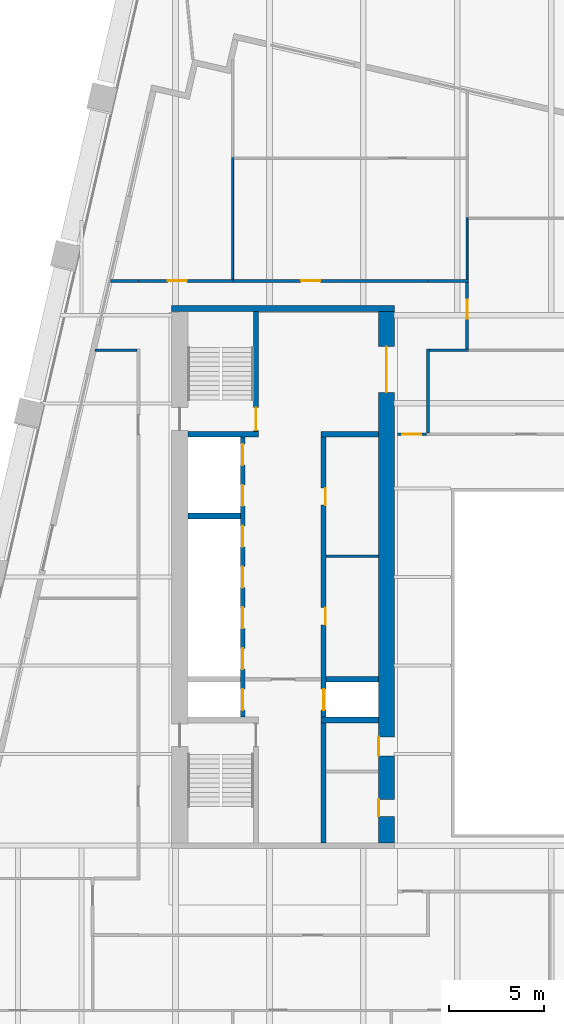
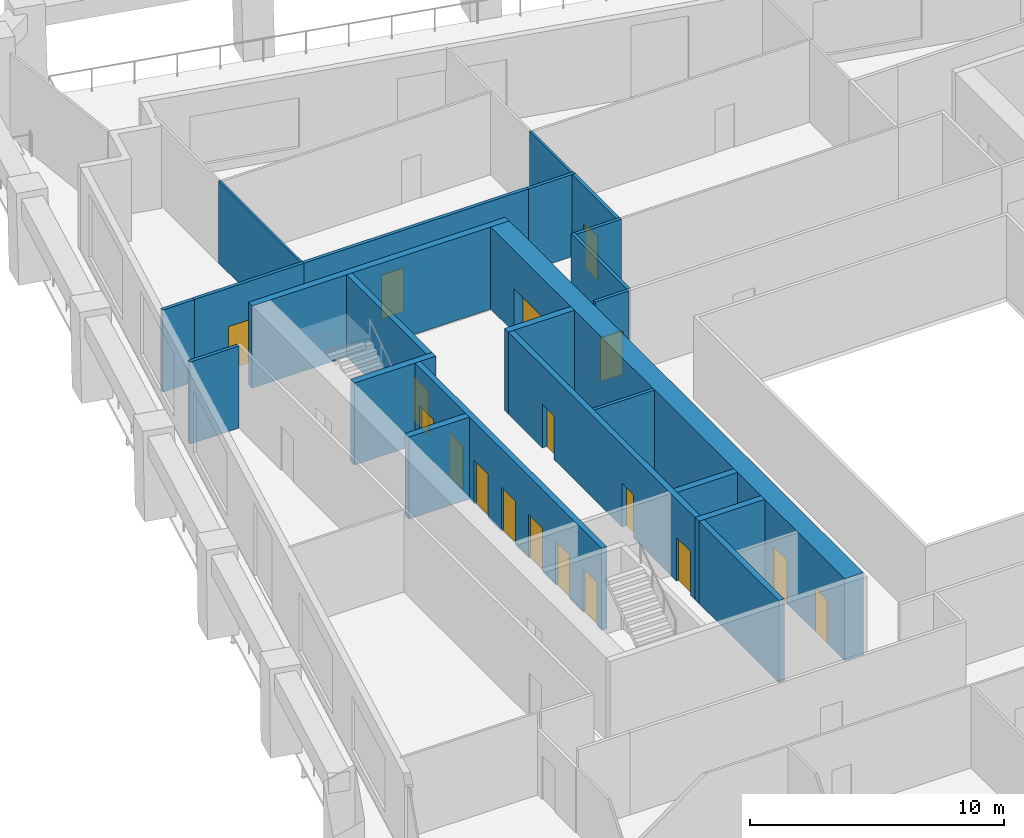
# One storey, part 5 of 10: 22 walls, 18 doors, 18 openings.
"""IFC4 building model written with IfcOpenShell, lengths in metres."""

from ifc_helpers import new_model, si_unit, direction, frame, frame_2d, origin, place, context, subcontext, project, spatial, rectangle, extrude, material, layer, layer_set, type_object, element, fill, save


model = new_model("IFC4")

# Units and contexts
model_context = context("Model", 3, precision=1e-05, world=origin(), true_north=direction((0.0, 1.0)))
body_context = subcontext(model_context, "Body", "Model", "MODEL_VIEW")
ifc_project = project(units=[si_unit("LENGTHUNIT", "METRE"), si_unit("AREAUNIT", "SQUARE_METRE"), si_unit("VOLUMEUNIT", "CUBIC_METRE"), si_unit("PLANEANGLEUNIT", "RADIAN"), si_unit("MASSUNIT", "GRAM", prefix="KILO")], contexts=[model_context])

# Site, building, storey
site_placement = place(None, origin())
site = spatial("IfcSite", under=ifc_project, at=site_placement, CompositionType="ELEMENT")
building_placement = place(site_placement, origin())
building = spatial("IfcBuilding", under=site, at=building_placement, Name="Ogive Exchange Tower", CompositionType="ELEMENT")
storey_placement = place(building_placement, frame((0.0, 0.0, 151.800048828125)))
storey = spatial("IfcBuildingStorey", under=building, at=storey_placement, Name="L33", CompositionType="ELEMENT", Elevation=151.800048828125)

# Walls
ifc_material_1 = material(Name="Gypsum board partition")
ifc_layer_1 = layer(ifc_material_1, 0.14990234375)
ifc_layer_set_1 = layer_set([ifc_layer_1], Name="Core room partition 150 gypsum")
wall_type_1 = type_object("IfcWallType", Name="Core room partition 150 gypsum", PredefinedType="PARTITIONING", material=ifc_layer_set_1)
wall_1_placement = place(storey_placement, frame((-13.75, 12.60009765625, 0.0), z_axis=(0.0, 0.0, 1.0), x_axis=(1.0, 0.0, 0.0)))
element("IfcWall", 1, at=wall_1_placement, inside=storey, type_object=wall_type_1, Name="W row B bay partition 1-1", PredefinedType="PARTITIONING", context=body_context, shape_type="SweptSolid", body=[
    extrude(rectangle(XDim=2.75, YDim=0.14990234375, at=frame_2d((1.375, 0.0))), origin(), (0.0, 0.0, 1.0), 3.949951171875),
])
ifc_layer_2 = layer(ifc_material_1, 0.300048828125)
ifc_layer_set_2 = layer_set([ifc_layer_2], Name="Core room partition 300 gypsum")
wall_type_2 = type_object("IfcWallType", Name="Core room partition 300 gypsum", PredefinedType="PARTITIONING", material=ifc_layer_set_2)
wall_2_placement = place(storey_placement, frame((-14.0, 19.0, 0.0), z_axis=(0.0, 0.0, 1.0), x_axis=(1.0, 0.0, 0.0)))
element("IfcWall", 2, at=wall_2_placement, inside=storey, type_object=wall_type_2, Name="W row B room end wall 7", PredefinedType="PARTITIONING", context=body_context, shape_type="SweptSolid", body=[
    extrude(rectangle(XDim=3.0, YDim=0.300048828125, at=frame_2d((1.5, 0.0))), origin(), (0.0, 0.0, 1.0), 3.949951171875),
])
ifc_material_2 = material(Name="Fire partition EI 60 150")
ifc_layer_3 = layer(ifc_material_2, 0.14990234375)
ifc_layer_set_3 = layer_set([ifc_layer_3], Name="Fire partition EI 60 150")
wall_type_3 = type_object("IfcWallType", Name="Fire partition EI 60 150", PredefinedType="PARTITIONING", material=ifc_layer_set_3)
wall_3_placement = place(storey_placement, frame((-25.052001953125, 27.0400390625, 0.0), z_axis=(0.0, 0.0, 1.0), x_axis=(1.0, 0.0, 0.0)))
element("IfcWall", 3, at=wall_3_placement, inside=storey, type_object=wall_type_3, Name="L33-PWL-006", PredefinedType="PARTITIONING", context=body_context, shape_type="SweptSolid", body=[
    extrude(rectangle(XDim=1.451904296875, YDim=0.14990234375, at=frame_2d((0.72607421875, 0.0))), origin(), (0.0, 0.0, 1.0), 3.949951171875),
])
wall_4_placement = place(storey_placement, frame((-23.675048828125, 23.409912109375, 0.0), z_axis=(0.0, 0.0, 1.0), x_axis=(-1.0, 0.0, 0.0)))
element("IfcWall", 4, at=wall_4_placement, inside=storey, type_object=wall_type_3, Name="L33-PWL-011", PredefinedType="PARTITIONING", context=body_context, shape_type="SweptSolid", body=[
    extrude(rectangle(XDim=2.21484375, YDim=0.14990234375, at=frame_2d((1.107421875, 0.0))), origin(), (0.0, 0.0, 1.0), 3.949951171875),
])

# Wall, opening, door
wall_5_placement = place(storey_placement, frame((-23.60009765625, 27.050048828125, 0.0), z_axis=(0.0, 0.0, 1.0), x_axis=(1.0, 0.0, 0.0)))
wall_5 = element("IfcWall", 5, at=wall_5_placement, inside=storey, type_object=wall_type_3, Name="L33-PWL-012", PredefinedType="PARTITIONING", context=body_context, shape_type="SweptSolid", body=[
    extrude(rectangle(XDim=5.0, YDim=0.14990234375, at=frame_2d((2.5, 0.0))), origin(), (0.0, 0.0, 1.0), 3.949951171875),
])
opening_1_placement = place(wall_5_placement, frame((1.550048828125, 0.0, 0.0)))
opening_1 = element("IfcOpeningElement", 6, at=opening_1_placement, cuts=wall_5, Name="Opening L33-I10", PredefinedType="OPENING", context=body_context, shape_type="SweptSolid", body=[
    extrude(rectangle(XDim=1.0, YDim=2.10009765625, at=frame_2d((0.5, 1.050048828125))), frame((0.0, 0.0849609375, 0.0), z_axis=(0.0, -1.0, 0.0), x_axis=(1.0, 0.0, 0.0)), (0.0, 0.0, 1.0), 0.169921875),
])
ifc_material_3 = material(Name="Fire door FD 30S 1000 x 2100")
door_type_1 = type_object("IfcDoorType", Name="Fire door FD 30S 1000 x 2100", OperationType="NOTDEFINED", PredefinedType="DOOR", material=ifc_material_3)
door_1_placement = place(opening_1_placement, origin())
door_1 = element("IfcDoor", 7, at=door_1_placement, inside=storey, type_object=door_type_1, Name="L33-IDR-010", ObjectType="DT3", OperationType="SINGLE_SWING_LEFT", OverallHeight=2.10009765625, OverallWidth=1.0, PredefinedType="DOOR", context=body_context, shape_type="SweptSolid", body=[
    extrude(rectangle(XDim=1.0, YDim=2.10009765625, at=frame_2d((0.5, 1.050048828125))), frame((0.0, 0.02490234375, 0.0), z_axis=(0.0, -1.0, 0.0), x_axis=(1.0, 0.0, 0.0)), (0.0, 0.0, 1.0), 0.050048828125),
])
fill(opening_1, door_1)

wall_6_placement = place(storey_placement, frame((-18.64990234375, 27.050048828125, 0.0), z_axis=(0.0, 0.0, 1.0), x_axis=(1.0, 0.0, 0.0)))
wall_6 = element("IfcWall", 8, at=wall_6_placement, inside=storey, type_object=wall_type_3, Name="L33-PWL-016", PredefinedType="PARTITIONING", context=body_context, shape_type="SweptSolid", body=[
    extrude(rectangle(XDim=10.25, YDim=0.14990234375, at=frame_2d((5.125, 0.0))), origin(), (0.0, 0.0, 1.0), 3.949951171875),
])
opening_2_placement = place(wall_6_placement, frame((3.60009765625, 0.0, 0.0)))
opening_2 = element("IfcOpeningElement", 9, at=opening_2_placement, cuts=wall_6, Name="Opening L33-I08", PredefinedType="OPENING", context=body_context, shape_type="SweptSolid", body=[
    extrude(rectangle(XDim=1.0, YDim=2.10009765625, at=frame_2d((0.5, 1.050048828125))), frame((0.0, 0.0849609375, 0.0), z_axis=(0.0, -1.0, 0.0), x_axis=(1.0, 0.0, 0.0)), (0.0, 0.0, 1.0), 0.169921875),
])
door_2_placement = place(opening_2_placement, origin())
door_2 = element("IfcDoor", 10, at=door_2_placement, inside=storey, type_object=door_type_1, Name="L33-IDR-008", ObjectType="DT3", OperationType="SINGLE_SWING_RIGHT", OverallHeight=2.10009765625, OverallWidth=1.0, PredefinedType="DOOR", context=body_context, shape_type="SweptSolid", body=[
    extrude(rectangle(XDim=1.0, YDim=2.10009765625, at=frame_2d((0.5, 1.050048828125))), frame((0.0, 0.02490234375, 0.0), z_axis=(0.0, -1.0, 0.0), x_axis=(1.0, 0.0, 0.0)), (0.0, 0.0, 1.0), 0.050048828125),
])
fill(opening_2, door_2)

# Walls
wall_7_placement = place(storey_placement, frame((-8.39990234375, 23.485107421875, 0.0), z_axis=(0.0, 0.0, 1.0), x_axis=(0.0, -1.0, 0.0)))
element("IfcWall", 11, at=wall_7_placement, inside=storey, type_object=wall_type_3, Name="L33-PWL-024", PredefinedType="PARTITIONING", context=body_context, shape_type="SweptSolid", body=[
    extrude(rectangle(XDim=4.41015625, YDim=0.14990234375, at=frame_2d((2.205078125, 0.0))), origin(), (0.0, 0.0, 1.0), 3.949951171875),
])
wall_8_placement = place(storey_placement, frame((-8.39990234375, 27.0400390625, 0.0), z_axis=(0.0, 0.0, 1.0), x_axis=(1.0, 0.0, 0.0)))
element("IfcWall", 12, at=wall_8_placement, inside=storey, type_object=wall_type_3, Name="L33-PWL-025", PredefinedType="PARTITIONING", context=body_context, shape_type="SweptSolid", body=[
    extrude(rectangle(XDim=2.135009765625, YDim=0.14990234375, at=frame_2d((1.0673828125, 0.0))), origin(), (0.0, 0.0, 1.0), 3.949951171875),
])
wall_9_placement = place(storey_placement, frame((-6.264892578125, 23.409912109375, 0.0), z_axis=(0.0, 0.0, 1.0), x_axis=(-1.0, 0.0, 0.0)))
element("IfcWall", 13, at=wall_9_placement, inside=storey, type_object=wall_type_3, Name="L33-PWL-026", PredefinedType="PARTITIONING", context=body_context, shape_type="SweptSolid", body=[
    extrude(rectangle(XDim=2.06005859375, YDim=0.14990234375, at=frame_2d((1.030029296875, 0.0))), origin(), (0.0, 0.0, 1.0), 3.949951171875),
])

# Wall, opening, door
wall_10_placement = place(storey_placement, frame((-6.340087890625, 26.965087890625, 0.0), z_axis=(0.0, 0.0, 1.0), x_axis=(0.0, -1.0, 0.0)))
wall_10 = element("IfcWall", 14, at=wall_10_placement, inside=storey, type_object=wall_type_3, Name="L33-PWL-028", PredefinedType="PARTITIONING", context=body_context, shape_type="SweptSolid", body=[
    extrude(rectangle(XDim=3.47998046875, YDim=0.14990234375, at=frame_2d((1.739990234375, 0.0))), origin(), (0.0, 0.0, 1.0), 3.949951171875),
])
opening_3_placement = place(wall_10_placement, frame((0.905029296875, 0.0, 0.0)))
opening_3 = element("IfcOpeningElement", 15, at=opening_3_placement, cuts=wall_10, Name="Opening L33-I06", PredefinedType="OPENING", context=body_context, shape_type="SweptSolid", body=[
    extrude(rectangle(XDim=1.0, YDim=2.10009765625, at=frame_2d((0.5, 1.050048828125))), frame((0.0, 0.0849609375, 0.0), z_axis=(0.0, -1.0, 0.0), x_axis=(1.0, 0.0, 0.0)), (0.0, 0.0, 1.0), 0.169921875),
])
door_3_placement = place(opening_3_placement, origin())
door_3 = element("IfcDoor", 16, at=door_3_placement, inside=storey, type_object=door_type_1, Name="L33-IDR-006", ObjectType="DT3", OperationType="SINGLE_SWING_LEFT", OverallHeight=2.10009765625, OverallWidth=1.0, PredefinedType="DOOR", context=body_context, shape_type="SweptSolid", body=[
    extrude(rectangle(XDim=1.0, YDim=2.10009765625, at=frame_2d((0.5, 1.050048828125))), frame((0.0, 0.02490234375, 0.0), z_axis=(0.0, -1.0, 0.0), x_axis=(1.0, 0.0, 0.0)), (0.0, 0.0, 1.0), 0.050048828125),
])
fill(opening_3, door_3)

wall_11_placement = place(storey_placement, frame((-10.0, 19.0, 0.0), z_axis=(0.0, 0.0, 1.0), x_axis=(1.0, 0.0, 0.0)))
wall_11 = element("IfcWall", 17, at=wall_11_placement, inside=storey, type_object=wall_type_3, Name="L33-PWL-064", PredefinedType="PARTITIONING", context=body_context, shape_type="SweptSolid", body=[
    extrude(rectangle(XDim=1.514892578125, YDim=0.14990234375, at=frame_2d((0.75732421875, 0.0))), origin(), (0.0, 0.0, 1.0), 3.949951171875),
])
opening_4_placement = place(wall_11_placement, frame((0.258056640625, 0.0, 0.0)))
opening_4 = element("IfcOpeningElement", 18, at=opening_4_placement, cuts=wall_11, Name="Opening L33-I23", PredefinedType="OPENING", context=body_context, shape_type="SweptSolid", body=[
    extrude(rectangle(XDim=1.0, YDim=2.10009765625, at=frame_2d((0.5, 1.050048828125))), frame((0.0, 0.0849609375, 0.0), z_axis=(0.0, -1.0, 0.0), x_axis=(1.0, 0.0, 0.0)), (0.0, 0.0, 1.0), 0.169921875),
])
door_4_placement = place(opening_4_placement, origin())
door_4 = element("IfcDoor", 19, at=door_4_placement, inside=storey, type_object=door_type_1, Name="L33-IDR-023", ObjectType="DT3", OperationType="SINGLE_SWING_LEFT", OverallHeight=2.10009765625, OverallWidth=1.0, PredefinedType="DOOR", context=body_context, shape_type="SweptSolid", body=[
    extrude(rectangle(XDim=1.0, YDim=2.10009765625, at=frame_2d((0.5, 1.050048828125))), frame((0.0, 0.02490234375, 0.0), z_axis=(0.0, -1.0, 0.0), x_axis=(1.0, 0.0, 0.0)), (0.0, 0.0, 1.0), 0.050048828125),
])
fill(opening_4, door_4)

# Walls
ifc_material_4 = material(Name="Partition 100 gypsum")
ifc_layer_4 = layer(ifc_material_4, 0.10009765625)
ifc_layer_set_4 = layer_set([ifc_layer_4], Name="Partition 100 gypsum")
wall_type_4 = type_object("IfcWallType", Name="Partition 100 gypsum", PredefinedType="PARTITIONING", material=ifc_layer_set_4)
wall_12_placement = place(storey_placement, frame((-18.64990234375, 27.125, 0.0), z_axis=(0.0, 0.0, 1.0), x_axis=(0.0, 1.0, 0.0)))
element("IfcWall", 20, at=wall_12_placement, inside=storey, type_object=wall_type_4, Name="L33-PWL-015", PredefinedType="PARTITIONING", context=body_context, shape_type="SweptSolid", body=[
    extrude(rectangle(XDim=6.425048828125, YDim=0.10009765625, at=frame_2d((3.21240234375, 0.0))), origin(), (0.0, 0.0, 1.0), 3.949951171875),
])
wall_13_placement = place(storey_placement, frame((-6.340087890625, 27.114990234375, 0.0), z_axis=(0.0, 0.0, 1.0), x_axis=(0.0, 1.0, 0.0)))
element("IfcWall", 21, at=wall_13_placement, inside=storey, type_object=wall_type_4, Name="L33-PWL-029", PredefinedType="PARTITIONING", context=body_context, shape_type="SweptSolid", body=[
    extrude(rectangle(XDim=3.27490234375, YDim=0.10009765625, at=frame_2d((1.637451171875, 0.0))), origin(), (0.0, 0.0, 1.0), 3.949951171875),
])

# Wall, opening, door
ifc_material_5 = material(Name="Concrete C70/85", Category="concrete")
ifc_layer_5 = layer(ifc_material_5, 0.25)
ifc_layer_set_5 = layer_set([ifc_layer_5], Name="RC core wall 250 C70/85")
wall_type_5 = type_object("IfcWallType", Name="RC core wall 250 C70/85", PredefinedType="SHEAR", material=ifc_layer_set_5)
wall_14_placement = place(storey_placement, frame((-17.425048828125, 19.14990234375, 0.0), z_axis=(0.0, 0.0, 1.0), x_axis=(0.0, 1.0, 0.0)))
wall_14 = element("IfcWall", 22, at=wall_14_placement, inside=storey, type_object=wall_type_5, Name="W stair N front wall", PredefinedType="SHEAR", context=body_context, shape_type="SweptSolid", body=[
    extrude(rectangle(XDim=6.300048828125, YDim=0.25, at=frame_2d((3.14990234375, 0.0))), origin(), (0.0, 0.0, 1.0), 3.949951171875),
])
opening_5_placement = place(wall_14_placement, frame((0.050048828125, 0.0, 0.0)))
opening_5 = element("IfcOpeningElement", 23, at=opening_5_placement, cuts=wall_14, Name="Opening L33-C15", PredefinedType="OPENING", context=body_context, shape_type="SweptSolid", body=[
    extrude(rectangle(XDim=1.199951171875, YDim=2.10009765625, at=frame_2d((0.60009765625, 1.050048828125))), frame((0.0, 0.135009765625, 0.0), z_axis=(0.0, -1.0, 0.0), x_axis=(1.0, 0.0, 0.0)), (0.0, 0.0, 1.0), 0.27001953125),
])
ifc_material_6 = material(Name="Steel fire door", Category="steel")
door_type_2 = type_object("IfcDoorType", Name="Stair door FD90 1200 x 2100", OperationType="NOTDEFINED", PredefinedType="DOOR", material=ifc_material_6)
door_5_placement = place(opening_5_placement, origin())
door_5 = element("IfcDoor", 24, at=door_5_placement, inside=storey, type_object=door_type_2, Name="Stair door", ObjectType="CD5", OperationType="SINGLE_SWING_RIGHT", OverallHeight=2.10009765625, OverallWidth=1.199951171875, PredefinedType="DOOR", context=body_context, shape_type="SweptSolid", body=[
    extrude(rectangle(XDim=1.199951171875, YDim=2.10009765625, at=frame_2d((0.60009765625, 1.050048828125))), frame((0.0, 0.02490234375, 0.0), z_axis=(0.0, -1.0, 0.0), x_axis=(1.0, 0.0, 0.0)), (0.0, 0.0, 1.0), 0.050048828125),
])
fill(opening_5, door_5)

# Wall, openings, doors
wall_15_placement = place(storey_placement, frame((-18.125, 4.14990234375, 0.0), z_axis=(0.0, 0.0, 1.0), x_axis=(0.0, 1.0, 0.0)))
wall_15 = element("IfcWall", 25, at=wall_15_placement, inside=storey, type_object=wall_type_5, Name="W row A front wall", PredefinedType="SHEAR", context=body_context, shape_type="SweptSolid", body=[
    extrude(rectangle(XDim=14.7001953125, YDim=0.25, at=frame_2d((7.35009765625, 0.0))), origin(), (0.0, 0.0, 1.0), 3.949951171875),
])
opening_6_placement = place(wall_15_placement, frame((0.371337890625, 0.0, 0.0)))
opening_6 = element("IfcOpeningElement", 26, at=opening_6_placement, cuts=wall_15, Name="Opening L33-C01", PredefinedType="OPENING", context=body_context, shape_type="SweptSolid", body=[
    extrude(rectangle(XDim=1.10009765625, YDim=2.10009765625, at=frame_2d((0.550048828125, 1.050048828125))), frame((0.0, 0.135009765625, 0.0), z_axis=(0.0, -1.0, 0.0), x_axis=(1.0, 0.0, 0.0)), (0.0, 0.0, 1.0), 0.27001953125),
])
opening_7_placement = place(wall_15_placement, frame((2.514404296875, 0.0, 0.0)))
opening_7 = element("IfcOpeningElement", 27, at=opening_7_placement, cuts=wall_15, Name="Opening L33-C02", PredefinedType="OPENING", context=body_context, shape_type="SweptSolid", body=[
    extrude(rectangle(XDim=1.10009765625, YDim=2.10009765625, at=frame_2d((0.550048828125, 1.050048828125))), frame((0.0, 0.135009765625, 0.0), z_axis=(0.0, -1.0, 0.0), x_axis=(1.0, 0.0, 0.0)), (0.0, 0.0, 1.0), 0.27001953125),
])
opening_8_placement = place(wall_15_placement, frame((4.656982421875, 0.0, 0.0)))
opening_8 = element("IfcOpeningElement", 28, at=opening_8_placement, cuts=wall_15, Name="Opening L33-C03", PredefinedType="OPENING", context=body_context, shape_type="SweptSolid", body=[
    extrude(rectangle(XDim=1.10009765625, YDim=2.10009765625, at=frame_2d((0.550048828125, 1.050048828125))), frame((0.0, 0.135009765625, 0.0), z_axis=(0.0, -1.0, 0.0), x_axis=(1.0, 0.0, 0.0)), (0.0, 0.0, 1.0), 0.27001953125),
])
opening_9_placement = place(wall_15_placement, frame((6.800048828125, 0.0, 0.0)))
opening_9 = element("IfcOpeningElement", 29, at=opening_9_placement, cuts=wall_15, Name="Opening L33-C04", PredefinedType="OPENING", context=body_context, shape_type="SweptSolid", body=[
    extrude(rectangle(XDim=1.10009765625, YDim=2.10009765625, at=frame_2d((0.550048828125, 1.050048828125))), frame((0.0, 0.135009765625, 0.0), z_axis=(0.0, -1.0, 0.0), x_axis=(1.0, 0.0, 0.0)), (0.0, 0.0, 1.0), 0.27001953125),
])
opening_10_placement = place(wall_15_placement, frame((8.94287109375, 0.0, 0.0)))
opening_10 = element("IfcOpeningElement", 30, at=opening_10_placement, cuts=wall_15, Name="Opening L33-C05", PredefinedType="OPENING", context=body_context, shape_type="SweptSolid", body=[
    extrude(rectangle(XDim=1.10009765625, YDim=2.10009765625, at=frame_2d((0.550048828125, 1.050048828125))), frame((0.0, 0.135009765625, 0.0), z_axis=(0.0, -1.0, 0.0), x_axis=(1.0, 0.0, 0.0)), (0.0, 0.0, 1.0), 0.27001953125),
])
opening_11_placement = place(wall_15_placement, frame((11.085693359375, 0.0, 0.0)))
opening_11 = element("IfcOpeningElement", 31, at=opening_11_placement, cuts=wall_15, Name="Opening L33-C06", PredefinedType="OPENING", context=body_context, shape_type="SweptSolid", body=[
    extrude(rectangle(XDim=1.10009765625, YDim=2.10009765625, at=frame_2d((0.550048828125, 1.050048828125))), frame((0.0, 0.135009765625, 0.0), z_axis=(0.0, -1.0, 0.0), x_axis=(1.0, 0.0, 0.0)), (0.0, 0.0, 1.0), 0.27001953125),
])
opening_12_placement = place(wall_15_placement, frame((13.228515625, 0.0, 0.0)))
opening_12 = element("IfcOpeningElement", 32, at=opening_12_placement, cuts=wall_15, Name="Opening L33-C07", PredefinedType="OPENING", context=body_context, shape_type="SweptSolid", body=[
    extrude(rectangle(XDim=1.10009765625, YDim=2.10009765625, at=frame_2d((0.550048828125, 1.050048828125))), frame((0.0, 0.135009765625, 0.0), z_axis=(0.0, -1.0, 0.0), x_axis=(1.0, 0.0, 0.0)), (0.0, 0.0, 1.0), 0.27001953125),
])
ifc_material_7 = material(Name="Stainless steel", Category="steel")
door_type_3 = type_object("IfcDoorType", Name="Lift landing door FD90 1100 x 2100", OperationType="SLIDING_TO_LEFT", PredefinedType="DOOR", material=ifc_material_7)
door_6_placement = place(opening_6_placement, origin())
door_6 = element("IfcDoor", 33, at=door_6_placement, inside=storey, type_object=door_type_3, Name="Lift landing door FF1", ObjectType="LD", OperationType="SLIDING_TO_LEFT", OverallHeight=2.10009765625, OverallWidth=1.10009765625, PredefinedType="DOOR", context=body_context, shape_type="SweptSolid", body=[
    extrude(rectangle(XDim=1.10009765625, YDim=2.10009765625, at=frame_2d((0.550048828125, 1.050048828125))), frame((0.0, 0.02490234375, 0.0), z_axis=(0.0, -1.0, 0.0), x_axis=(1.0, 0.0, 0.0)), (0.0, 0.0, 1.0), 0.050048828125),
])
fill(opening_6, door_6)
door_7_placement = place(opening_7_placement, origin())
door_7 = element("IfcDoor", 34, at=door_7_placement, inside=storey, type_object=door_type_3, Name="Lift landing door W-L1", ObjectType="LD", OperationType="SLIDING_TO_LEFT", OverallHeight=2.10009765625, OverallWidth=1.10009765625, PredefinedType="DOOR", context=body_context, shape_type="SweptSolid", body=[
    extrude(rectangle(XDim=1.10009765625, YDim=2.10009765625, at=frame_2d((0.550048828125, 1.050048828125))), frame((0.0, 0.02490234375, 0.0), z_axis=(0.0, -1.0, 0.0), x_axis=(1.0, 0.0, 0.0)), (0.0, 0.0, 1.0), 0.050048828125),
])
fill(opening_7, door_7)
door_8_placement = place(opening_8_placement, origin())
door_8 = element("IfcDoor", 35, at=door_8_placement, inside=storey, type_object=door_type_3, Name="Lift landing door W-L2", ObjectType="LD", OperationType="SLIDING_TO_LEFT", OverallHeight=2.10009765625, OverallWidth=1.10009765625, PredefinedType="DOOR", context=body_context, shape_type="SweptSolid", body=[
    extrude(rectangle(XDim=1.10009765625, YDim=2.10009765625, at=frame_2d((0.550048828125, 1.050048828125))), frame((0.0, 0.02490234375, 0.0), z_axis=(0.0, -1.0, 0.0), x_axis=(1.0, 0.0, 0.0)), (0.0, 0.0, 1.0), 0.050048828125),
])
fill(opening_8, door_8)
door_9_placement = place(opening_9_placement, origin())
door_9 = element("IfcDoor", 36, at=door_9_placement, inside=storey, type_object=door_type_3, Name="Lift landing door W-L3", ObjectType="LD", OperationType="SLIDING_TO_LEFT", OverallHeight=2.10009765625, OverallWidth=1.10009765625, PredefinedType="DOOR", context=body_context, shape_type="SweptSolid", body=[
    extrude(rectangle(XDim=1.10009765625, YDim=2.10009765625, at=frame_2d((0.550048828125, 1.050048828125))), frame((0.0, 0.02490234375, 0.0), z_axis=(0.0, -1.0, 0.0), x_axis=(1.0, 0.0, 0.0)), (0.0, 0.0, 1.0), 0.050048828125),
])
fill(opening_9, door_9)
door_10_placement = place(opening_10_placement, origin())
door_10 = element("IfcDoor", 37, at=door_10_placement, inside=storey, type_object=door_type_3, Name="Lift landing door W-L4", ObjectType="LD", OperationType="SLIDING_TO_LEFT", OverallHeight=2.10009765625, OverallWidth=1.10009765625, PredefinedType="DOOR", context=body_context, shape_type="SweptSolid", body=[
    extrude(rectangle(XDim=1.10009765625, YDim=2.10009765625, at=frame_2d((0.550048828125, 1.050048828125))), frame((0.0, 0.02490234375, 0.0), z_axis=(0.0, -1.0, 0.0), x_axis=(1.0, 0.0, 0.0)), (0.0, 0.0, 1.0), 0.050048828125),
])
fill(opening_10, door_10)
door_11_placement = place(opening_11_placement, origin())
door_11 = element("IfcDoor", 38, at=door_11_placement, inside=storey, type_object=door_type_3, Name="Lift landing door W-SH1", ObjectType="LD", OperationType="SLIDING_TO_LEFT", OverallHeight=2.10009765625, OverallWidth=1.10009765625, PredefinedType="DOOR", context=body_context, shape_type="SweptSolid", body=[
    extrude(rectangle(XDim=1.10009765625, YDim=2.10009765625, at=frame_2d((0.550048828125, 1.050048828125))), frame((0.0, 0.02490234375, 0.0), z_axis=(0.0, -1.0, 0.0), x_axis=(1.0, 0.0, 0.0)), (0.0, 0.0, 1.0), 0.050048828125),
])
fill(opening_11, door_11)
door_12_placement = place(opening_12_placement, origin())
door_12 = element("IfcDoor", 39, at=door_12_placement, inside=storey, type_object=door_type_3, Name="Lift landing door W-SH2", ObjectType="LD", OperationType="SLIDING_TO_LEFT", OverallHeight=2.10009765625, OverallWidth=1.10009765625, PredefinedType="DOOR", context=body_context, shape_type="SweptSolid", body=[
    extrude(rectangle(XDim=1.10009765625, YDim=2.10009765625, at=frame_2d((0.550048828125, 1.050048828125))), frame((0.0, 0.02490234375, 0.0), z_axis=(0.0, -1.0, 0.0), x_axis=(1.0, 0.0, 0.0)), (0.0, 0.0, 1.0), 0.050048828125),
])
fill(opening_12, door_12)

wall_16_placement = place(storey_placement, frame((-13.875, -2.449951171875, 0.0), z_axis=(0.0, 0.0, 1.0), x_axis=(0.0, 1.0, 0.0)))
wall_16 = element("IfcWall", 40, at=wall_16_placement, inside=storey, type_object=wall_type_5, Name="W row B front wall", PredefinedType="SHEAR", context=body_context, shape_type="SweptSolid", body=[
    extrude(rectangle(XDim=21.300048828125, YDim=0.25, at=frame_2d((10.64990234375, 0.0))), origin(), (0.0, 0.0, 1.0), 3.949951171875),
])
opening_13_placement = place(wall_16_placement, frame((11.4462890625, 0.0, 0.0)))
opening_13 = element("IfcOpeningElement", 41, at=opening_13_placement, cuts=wall_16, Name="Opening L33-C08", PredefinedType="OPENING", context=body_context, shape_type="SweptSolid", body=[
    extrude(rectangle(XDim=0.89990234375, YDim=2.10009765625, at=frame_2d((0.449951171875, 1.050048828125))), frame((0.0, 0.135009765625, 0.0), z_axis=(0.0, -1.0, 0.0), x_axis=(1.0, 0.0, 0.0)), (0.0, 0.0, 1.0), 0.27001953125),
])
opening_14_placement = place(wall_16_placement, frame((17.72509765625, 0.0, 0.0)))
opening_14 = element("IfcOpeningElement", 42, at=opening_14_placement, cuts=wall_16, Name="Opening L33-C09", PredefinedType="OPENING", context=body_context, shape_type="SweptSolid", body=[
    extrude(rectangle(XDim=0.89990234375, YDim=2.10009765625, at=frame_2d((0.449951171875, 1.050048828125))), frame((0.0, 0.135009765625, 0.0), z_axis=(0.0, -1.0, 0.0), x_axis=(1.0, 0.0, 0.0)), (0.0, 0.0, 1.0), 0.27001953125),
])
opening_15_placement = place(wall_16_placement, frame((6.971435546875, 0.0, 0.0)))
opening_15 = element("IfcOpeningElement", 43, at=opening_15_placement, cuts=wall_16, Name="Opening L33-C10", PredefinedType="OPENING", context=body_context, shape_type="SweptSolid", body=[
    extrude(rectangle(XDim=1.10009765625, YDim=2.10009765625, at=frame_2d((0.550048828125, 1.050048828125))), frame((0.0, 0.135009765625, 0.0), z_axis=(0.0, -1.0, 0.0), x_axis=(1.0, 0.0, 0.0)), (0.0, 0.0, 1.0), 0.27001953125),
])
door_13_placement = place(opening_15_placement, origin())
door_13 = element("IfcDoor", 44, at=door_13_placement, inside=storey, type_object=door_type_3, Name="Lift landing door SV1", ObjectType="LD", OperationType="SLIDING_TO_LEFT", OverallHeight=2.10009765625, OverallWidth=1.10009765625, PredefinedType="DOOR", context=body_context, shape_type="SweptSolid", body=[
    extrude(rectangle(XDim=1.10009765625, YDim=2.10009765625, at=frame_2d((0.550048828125, 1.050048828125))), frame((0.0, 0.02490234375, 0.0), z_axis=(0.0, -1.0, 0.0), x_axis=(1.0, 0.0, 0.0)), (0.0, 0.0, 1.0), 0.050048828125),
])
fill(opening_15, door_13)
door_type_4 = type_object("IfcDoorType", Name="Riser door FD60 900 x 2100", OperationType="NOTDEFINED", PredefinedType="DOOR", material=ifc_material_6)
door_14_placement = place(opening_13_placement, frame((0.89990234375, -0.2001953125, 0.0), z_axis=(0.0, 0.0, 1.0), x_axis=(-1.0, 0.0, 0.0)))
door_14 = element("IfcDoor", 45, at=door_14_placement, inside=storey, type_object=door_type_4, Name="Riser door", ObjectType="CD2", OperationType="SINGLE_SWING_RIGHT", OverallHeight=2.10009765625, OverallWidth=0.89990234375, PredefinedType="DOOR", context=body_context, shape_type="SweptSolid", body=[
    extrude(rectangle(XDim=0.89990234375, YDim=2.10009765625, at=frame_2d((0.449951171875, 1.050048828125))), frame((0.0, -0.0751953125, 0.0), z_axis=(0.0, -1.0, 0.0), x_axis=(1.0, 0.0, 0.0)), (0.0, 0.0, 1.0), 0.050048828125),
])
fill(opening_13, door_14)
door_15_placement = place(opening_14_placement, frame((0.89990234375, -0.2001953125, 0.0), z_axis=(0.0, 0.0, 1.0), x_axis=(-1.0, 0.0, 0.0)))
door_15 = element("IfcDoor", 46, at=door_15_placement, inside=storey, type_object=door_type_4, Name="Riser door", ObjectType="CD2", OperationType="SINGLE_SWING_RIGHT", OverallHeight=2.10009765625, OverallWidth=0.89990234375, PredefinedType="DOOR", context=body_context, shape_type="SweptSolid", body=[
    extrude(rectangle(XDim=0.89990234375, YDim=2.10009765625, at=frame_2d((0.449951171875, 1.050048828125))), frame((0.0, -0.0751953125, 0.0), z_axis=(0.0, -1.0, 0.0), x_axis=(1.0, 0.0, 0.0)), (0.0, 0.0, 1.0), 0.050048828125),
])
fill(opening_14, door_15)

# Walls
ifc_layer_6 = layer(ifc_material_5, 0.300048828125)
ifc_layer_set_6 = layer_set([ifc_layer_6], Name="RC core wall 300 C70/85")
wall_type_6 = type_object("IfcWallType", Name="RC core wall 300 C70/85", PredefinedType="SHEAR", material=ifc_layer_set_6)
wall_17_placement = place(storey_placement, frame((-21.85009765625, 25.60009765625, 0.0), z_axis=(0.0, 0.0, 1.0), x_axis=(1.0, 0.0, 0.0)))
element("IfcWall", 47, at=wall_17_placement, inside=storey, type_object=wall_type_6, Name="W north end wall", PredefinedType="SHEAR", context=body_context, shape_type="SweptSolid", body=[
    extrude(rectangle(XDim=11.7001953125, YDim=0.300048828125, at=frame_2d((5.85009765625, 0.0))), origin(), (0.0, 0.0, 1.0), 3.949951171875),
])
wall_18_placement = place(storey_placement, frame((-21.0, 19.0, 0.0), z_axis=(0.0, 0.0, 1.0), x_axis=(1.0, 0.0, 0.0)))
element("IfcWall", 48, at=wall_18_placement, inside=storey, type_object=wall_type_6, Name="W stair N south wall", PredefinedType="SHEAR", context=body_context, shape_type="SweptSolid", body=[
    extrude(rectangle(XDim=3.699951171875, YDim=0.300048828125, at=frame_2d((1.85009765625, 0.0))), origin(), (0.0, 0.0, 1.0), 3.949951171875),
])
wall_19_placement = place(storey_placement, frame((-21.0, 14.71435546875, 0.0), z_axis=(0.0, 0.0, 1.0), x_axis=(1.0, 0.0, 0.0)))
element("IfcWall", 49, at=wall_19_placement, inside=storey, type_object=wall_type_6, Name="W row A divider 5", PredefinedType="SHEAR", context=body_context, shape_type="SweptSolid", body=[
    extrude(rectangle(XDim=2.75, YDim=0.300048828125, at=frame_2d((1.375, 0.0))), origin(), (0.0, 0.0, 1.0), 3.949951171875),
])
wall_20_placement = place(storey_placement, frame((-14.0, 4.0, 0.0), z_axis=(0.0, 0.0, 1.0), x_axis=(1.0, 0.0, 0.0)))
element("IfcWall", 50, at=wall_20_placement, inside=storey, type_object=wall_type_6, Name="W row B divider 0", PredefinedType="SHEAR", context=body_context, shape_type="SweptSolid", body=[
    extrude(rectangle(XDim=3.0, YDim=0.300048828125, at=frame_2d((1.5, 0.0))), origin(), (0.0, 0.0, 1.0), 3.949951171875),
])
wall_21_placement = place(storey_placement, frame((-13.75, 6.142822265625, 0.0), z_axis=(0.0, 0.0, 1.0), x_axis=(1.0, 0.0, 0.0)))
element("IfcWall", 51, at=wall_21_placement, inside=storey, type_object=wall_type_6, Name="W row B divider 1", PredefinedType="SHEAR", context=body_context, shape_type="SweptSolid", body=[
    extrude(rectangle(XDim=2.75, YDim=0.300048828125, at=frame_2d((1.375, 0.0))), origin(), (0.0, 0.0, 1.0), 3.949951171875),
])

# Wall, openings, doors
ifc_layer_7 = layer(ifc_material_5, 0.85009765625)
ifc_layer_set_7 = layer_set([ifc_layer_7], Name="RC core wall 850 C70/85")
wall_type_7 = type_object("IfcWallType", Name="RC core wall 850 C70/85", PredefinedType="SHEAR", material=ifc_layer_set_7)
wall_22_placement = place(storey_placement, frame((-10.574951171875, -2.449951171875, 0.0), z_axis=(0.0, 0.0, 1.0), x_axis=(0.0, 1.0, 0.0)))
wall_22 = element("IfcWall", 52, at=wall_22_placement, inside=storey, type_object=wall_type_7, Name="W inner wall", PredefinedType="SHEAR", context=body_context, shape_type="SweptSolid", body=[
    extrude(rectangle(XDim=27.89990234375, YDim=0.85009765625, at=frame_2d((13.949951171875, 0.0))), origin(), (0.0, 0.0, 1.0), 3.949951171875),
])
opening_16_placement = place(wall_22_placement, frame((23.64990234375, 0.0, 0.0)))
opening_16 = element("IfcOpeningElement", 53, at=opening_16_placement, cuts=wall_22, Name="Opening L33-C12", PredefinedType="OPENING", context=body_context, shape_type="SweptSolid", body=[
    extrude(rectangle(XDim=2.39990234375, YDim=2.10009765625, at=frame_2d((1.199951171875, 1.050048828125))), frame((0.0, 0.43505859375, 0.0), z_axis=(0.0, -1.0, 0.0), x_axis=(1.0, 0.0, 0.0)), (0.0, 0.0, 1.0), 0.8701171875),
])
opening_17_placement = place(wall_22_placement, frame((1.387451171875, 0.0, 0.0)))
opening_17 = element("IfcOpeningElement", 54, at=opening_17_placement, cuts=wall_22, Name="Opening L33-C17", PredefinedType="OPENING", context=body_context, shape_type="SweptSolid", body=[
    extrude(rectangle(XDim=0.89990234375, YDim=2.10009765625, at=frame_2d((0.449951171875, 1.050048828125))), frame((0.0, 0.43505859375, 0.0), z_axis=(0.0, -1.0, 0.0), x_axis=(1.0, 0.0, 0.0)), (0.0, 0.0, 1.0), 0.8701171875),
])
opening_18_placement = place(wall_22_placement, frame((4.5625, 0.0, 0.0)))
opening_18 = element("IfcOpeningElement", 55, at=opening_18_placement, cuts=wall_22, Name="Opening L33-C18", PredefinedType="OPENING", context=body_context, shape_type="SweptSolid", body=[
    extrude(rectangle(XDim=1.0, YDim=2.10009765625, at=frame_2d((0.5, 1.050048828125))), frame((0.0, 0.43505859375, 0.0), z_axis=(0.0, -1.0, 0.0), x_axis=(1.0, 0.0, 0.0)), (0.0, 0.0, 1.0), 0.8701171875),
])
ifc_material_8 = material(Name="Timber fire door", Category="wood")
door_type_5 = type_object("IfcDoorType", Name="Accessible WC door FD30S 1000 x 2100", OperationType="NOTDEFINED", PredefinedType="DOOR", material=ifc_material_8)
door_16_placement = place(opening_18_placement, origin())
door_16 = element("IfcDoor", 56, at=door_16_placement, inside=storey, type_object=door_type_5, Name="Accessible WC door", ObjectType="CD7", OperationType="SINGLE_SWING_RIGHT", OverallHeight=2.10009765625, OverallWidth=1.0, PredefinedType="DOOR", context=body_context, shape_type="SweptSolid", body=[
    extrude(rectangle(XDim=1.0, YDim=2.10009765625, at=frame_2d((0.5, 1.050048828125))), frame((0.0, 0.4248046875, 0.0), z_axis=(0.0, -1.0, 0.0), x_axis=(1.0, 0.0, 0.0)), (0.0, 0.0, 1.0), 0.050048828125),
])
fill(opening_18, door_16)
door_type_6 = type_object("IfcDoorType", Name="Core room door FD30S 900 x 2100", OperationType="NOTDEFINED", PredefinedType="DOOR", material=ifc_material_8)
door_17_placement = place(opening_17_placement, origin())
door_17 = element("IfcDoor", 57, at=door_17_placement, inside=storey, type_object=door_type_6, Name="Core room door", ObjectType="CD6", OperationType="SINGLE_SWING_LEFT", OverallHeight=2.10009765625, OverallWidth=0.89990234375, PredefinedType="DOOR", context=body_context, shape_type="SweptSolid", body=[
    extrude(rectangle(XDim=0.89990234375, YDim=2.10009765625, at=frame_2d((0.449951171875, 1.050048828125))), frame((0.0, 0.4248046875, 0.0), z_axis=(0.0, -1.0, 0.0), x_axis=(1.0, 0.0, 0.0)), (0.0, 0.0, 1.0), 0.050048828125),
])
fill(opening_17, door_17)
ifc_material_9 = material(Name="Glazed steel fire door", Category="steel")
door_type_7 = type_object("IfcDoorType", Name="Lift lobby double door FD60 2400 x 2100", OperationType="DOUBLE_DOOR_SINGLE_SWING", PredefinedType="DOOR", material=ifc_material_9)
door_18_placement = place(opening_16_placement, origin())
door_18 = element("IfcDoor", 58, at=door_18_placement, inside=storey, type_object=door_type_7, Name="Lift lobby double door", ObjectType="CD4", OperationType="DOUBLE_DOOR_SINGLE_SWING", OverallHeight=2.10009765625, OverallWidth=2.39990234375, PredefinedType="DOOR", context=body_context, shape_type="SweptSolid", body=[
    extrude(rectangle(XDim=2.39990234375, YDim=2.10009765625, at=frame_2d((1.199951171875, 1.050048828125))), frame((0.0, 0.02490234375, 0.0), z_axis=(0.0, -1.0, 0.0), x_axis=(1.0, 0.0, 0.0)), (0.0, 0.0, 1.0), 0.050048828125),
])
fill(opening_16, door_18)

save(model, "model.ifc")
